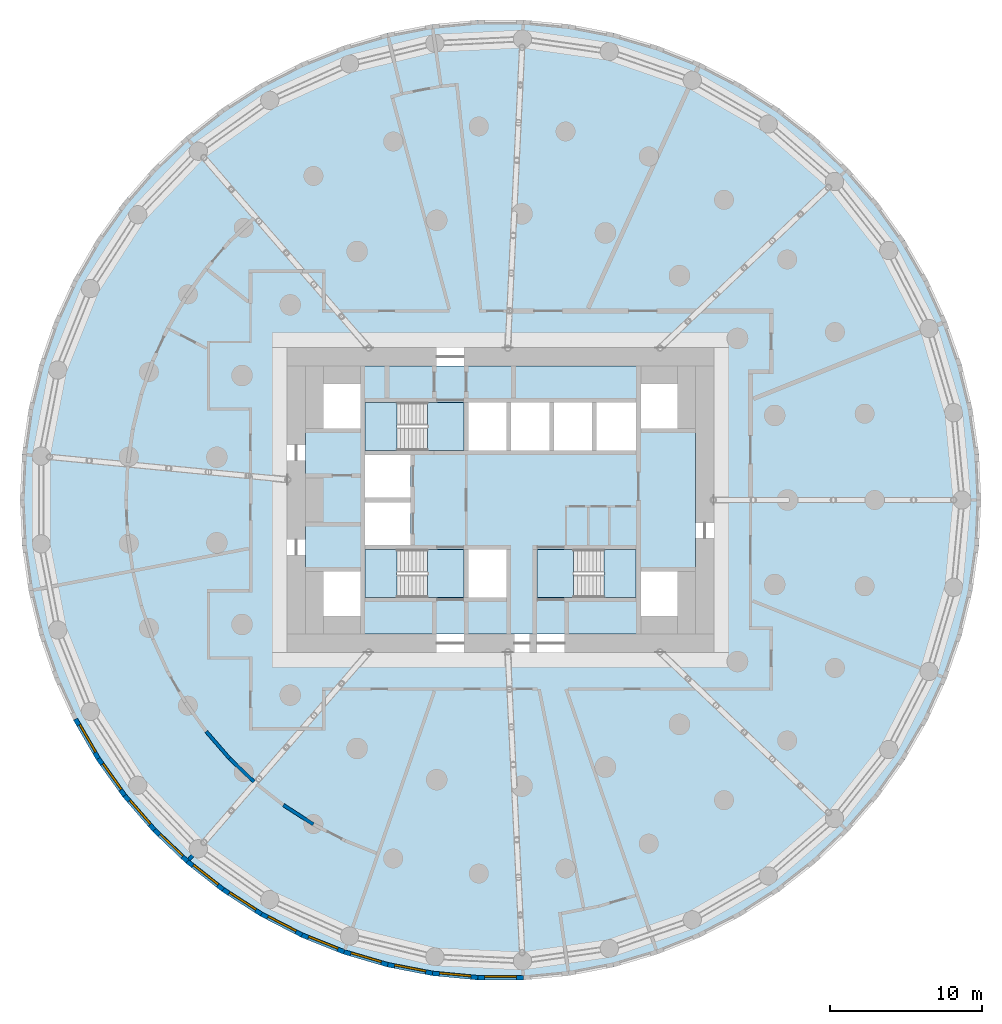
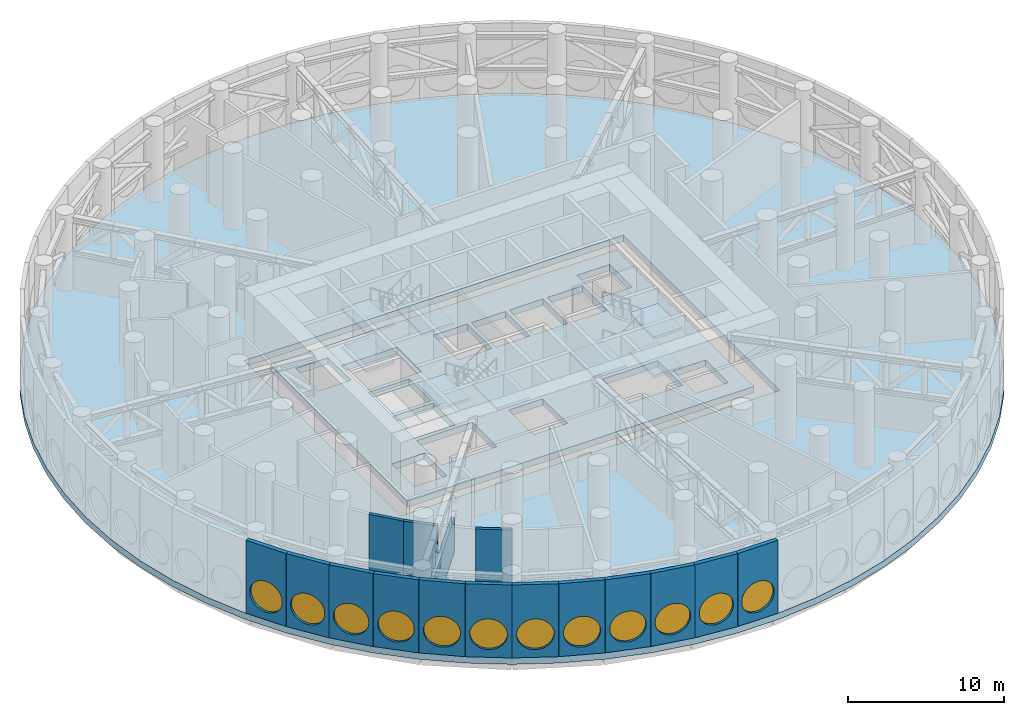
# One storey, part 8 of 17: 16 walls, 12 windows, 10 slabs, 12 openings, 3 elements without a shape of their own.
"""IFC4 building model written with IfcOpenShell, lengths in metres."""

from ifc_helpers import new_model, si_unit, direction, frame, frame_2d, origin, origin_2d, place, context, subcontext, project, spatial, polyline, rectangle, circle, outline, extrude, material, layer, layer_set, type_object, element, fill, aggregate, save


model = new_model("IFC4")

# Units and contexts
model_context = context("Model", 3, precision=1e-05, world=origin(), true_north=direction((0.0, 1.0)))
body_context = subcontext(model_context, "Body", "Model", "MODEL_VIEW")
ifc_project = project(units=[si_unit("LENGTHUNIT", "METRE"), si_unit("AREAUNIT", "SQUARE_METRE"), si_unit("VOLUMEUNIT", "CUBIC_METRE"), si_unit("PLANEANGLEUNIT", "RADIAN"), si_unit("MASSUNIT", "GRAM", prefix="KILO")], contexts=[model_context])

# Site, building, storey
site_placement = place(None, origin())
site = spatial("IfcSite", under=ifc_project, at=site_placement, CompositionType="ELEMENT")
building_placement = place(site_placement, origin())
building = spatial("IfcBuilding", under=site, at=building_placement, Name="Tracery Tower", CompositionType="ELEMENT")
storey_placement = place(building_placement, frame((0.0, 0.0, 120.0)))
storey = spatial("IfcBuildingStorey", under=building, at=storey_placement, Name="L30 Plant", CompositionType="ELEMENT", Elevation=120.0)

# Slabs
ifc_material_1 = material(Name="Concrete C60/75", Category="concrete")
ifc_layer_1 = layer(ifc_material_1, 0.5)
ifc_layer_set_1 = layer_set([ifc_layer_1], Name="Core floor slab 500 C60")
slab_type_1 = type_object("IfcSlabType", Name="Core floor slab 500 C60", PredefinedType="FLOOR", material=ifc_layer_set_1)
slab_1_placement = place(storey_placement, frame((0.0, 0.0, -0.5)))
element("IfcSlab", 1, at=slab_1_placement, inside=storey, type_object=slab_type_1, Name="L30 Plant core floor 1", PredefinedType="FLOOR", context=body_context, shape_type="SweptSolid", body=[
    extrude(outline(polyline([(-12.800048828125, 8.800048828125), (12.800048828125, 8.800048828125), (12.800048828125, -8.800048828125), (-12.800048828125, -8.800048828125), (-12.800048828125, 8.800048828125)]), holes=[polyline([(9.199951171875, 4.699951171875), (11.60009765625, 4.699951171875), (11.60009765625, 7.60009765625), (9.199951171875, 7.60009765625), (9.199951171875, 4.699951171875)]), polyline([(11.60009765625, -7.60009765625), (11.60009765625, -4.699951171875), (9.199951171875, -4.699951171875), (9.199951171875, -7.60009765625), (11.60009765625, -7.60009765625)]), polyline([(4.800537109375, -6.39990234375), (8.89990234375, -6.39990234375), (8.89990234375, -3.25), (4.800537109375, -3.25), (4.800537109375, -6.39990234375)]), polyline([(8.89990234375, 3.25), (8.89990234375, 6.39990234375), (6.300048828125, 6.39990234375), (6.300048828125, 3.25), (8.89990234375, 3.25)]), polyline([(6.0, 3.25), (6.0, 6.39990234375), (3.5, 6.39990234375), (3.5, 3.25), (6.0, 3.25)]), polyline([(3.199951171875, 3.25), (3.199951171875, 6.39990234375), (0.699951171875, 6.39990234375), (0.699951171875, 3.25), (3.199951171875, 3.25)]), polyline([(-2.10009765625, 3.25), (0.39990234375, 3.25), (0.39990234375, 6.39990234375), (-2.10009765625, 6.39990234375), (-2.10009765625, 3.25)]), polyline([(0.39990234375, -6.39990234375), (0.39990234375, -3.25), (-2.10009765625, -3.25), (-2.10009765625, -6.39990234375), (0.39990234375, -6.39990234375)]), polyline([(-4.800537109375, -3.25), (-8.89990234375, -3.25), (-8.89990234375, -6.39990234375), (-4.800537109375, -6.39990234375), (-4.800537109375, -3.25)]), polyline([(-4.800537109375, 6.39990234375), (-8.89990234375, 6.39990234375), (-8.89990234375, 3.25), (-4.800537109375, 3.25), (-4.800537109375, 6.39990234375)]), polyline([(-5.89990234375, -2.949951171875), (-5.89990234375, -0.14990234375), (-8.89990234375, -0.14990234375), (-8.89990234375, -2.949951171875), (-5.89990234375, -2.949951171875)]), polyline([(-5.89990234375, 0.14990234375), (-5.89990234375, 2.949951171875), (-8.89990234375, 2.949951171875), (-8.89990234375, 0.14990234375), (-5.89990234375, 0.14990234375)]), polyline([(-11.60009765625, 4.699951171875), (-9.199951171875, 4.699951171875), (-9.199951171875, 7.60009765625), (-11.60009765625, 7.60009765625), (-11.60009765625, 4.699951171875)]), polyline([(-9.199951171875, -7.60009765625), (-9.199951171875, -4.699951171875), (-11.60009765625, -4.699951171875), (-11.60009765625, -7.60009765625), (-9.199951171875, -7.60009765625)])]), origin(), (0.0, 0.0, 1.0), 0.5),
])
ifc_material_2 = material(Name="Concrete C50/60", Category="concrete")
ifc_layer_2 = layer(ifc_material_2, 0.5)
ifc_layer_set_2 = layer_set([ifc_layer_2], Name="Plant floor slab 500")
slab_type_2 = type_object("IfcSlabType", Name="Plant floor slab 500", PredefinedType="FLOOR", material=ifc_layer_set_2)
slab_2_placement = place(storey_placement, frame((0.0, 0.0, -0.5)))
element("IfcSlab", 2, at=slab_2_placement, inside=storey, type_object=slab_type_2, Name="Floor slab L30 Plant", PredefinedType="FLOOR", context=body_context, shape_type="SweptSolid", body=[
    extrude(outline(polyline([(31.524658203125, 0.0), (31.3818359375, 2.99658203125), (30.954833984375, 5.966064453125), (30.24755859375, 8.881591796875), (29.266357421875, 11.716552734375), (28.020263671875, 14.4453125), (26.520263671875, 17.04345703125), (24.780029296875, 19.4873046875), (22.8154296875, 21.75439453125), (20.644287109375, 23.82470703125), (18.2861328125, 25.67919921875), (15.76220703125, 27.301025390625), (13.095703125, 28.67578125), (10.310791015625, 29.790771484375), (7.43212890625, 30.635986328125), (4.486328125, 31.20361328125), (1.5, 31.489013671875), (-1.5, 31.489013671875), (-4.486328125, 31.20361328125), (-7.43212890625, 30.635986328125), (-10.310791015625, 29.790771484375), (-13.095703125, 28.67578125), (-15.76220703125, 27.301025390625), (-18.2861328125, 25.67919921875), (-20.644287109375, 23.82470703125), (-22.8154296875, 21.75439453125), (-24.780029296875, 19.4873046875), (-26.520263671875, 17.04345703125), (-28.020263671875, 14.4453125), (-29.266357421875, 11.716552734375), (-30.24755859375, 8.881591796875), (-30.954833984375, 5.966064453125), (-31.3818359375, 2.99658203125), (-31.524658203125, 0.0), (-31.3818359375, -2.99658203125), (-30.954833984375, -5.966064453125), (-30.24755859375, -8.881591796875), (-29.266357421875, -11.716552734375), (-28.020263671875, -14.4453125), (-26.520263671875, -17.04345703125), (-24.780029296875, -19.4873046875), (-22.8154296875, -21.75439453125), (-20.644287109375, -23.82470703125), (-18.2861328125, -25.67919921875), (-15.76220703125, -27.301025390625), (-13.095703125, -28.67578125), (-10.310791015625, -29.790771484375), (-7.43212890625, -30.635986328125), (-4.486328125, -31.20361328125), (-1.5, -31.489013671875), (1.5, -31.489013671875), (4.486328125, -31.20361328125), (7.43212890625, -30.635986328125), (10.310791015625, -29.790771484375), (13.095703125, -28.67578125), (15.76220703125, -27.301025390625), (18.2861328125, -25.67919921875), (20.644287109375, -23.82470703125), (22.8154296875, -21.75439453125), (24.780029296875, -19.4873046875), (26.520263671875, -17.04345703125), (28.020263671875, -14.4453125), (29.266357421875, -11.716552734375), (30.24755859375, -8.881591796875), (30.954833984375, -5.966064453125), (31.3818359375, -2.99658203125), (31.524658203125, 0.0)]), holes=[polyline([(-14.0, -10.0), (14.0, -10.0), (14.0, 10.0), (-14.0, 10.0), (-14.0, -10.0)])]), origin(), (0.0, 0.0, 1.0), 0.5),
])

# Stair, slabs
ifc_material_3 = material(Name="Concrete C32/40", Category="concrete")
stair_type = type_object("IfcStairType", Name="Core stair 36 risers", PredefinedType="HALF_TURN_STAIR", material=ifc_material_3)
stair_1_placement = place(storey_placement, origin())
stair_1 = element("IfcStair", 3, at=stair_1_placement, inside=storey, type_object=stair_type, Name="L30 Plant stair ST1", PredefinedType="HALF_TURN_STAIR")
ifc_material_4 = material(Name="Concrete C32/40", Category="concrete")
ifc_layer_3 = layer(ifc_material_4, 0.199951171875)
ifc_layer_set_3 = layer_set([ifc_layer_3], Name="Stair landing slab 200")
slab_type_3 = type_object("IfcSlabType", Name="Stair landing slab 200", PredefinedType="LANDING", material=ifc_layer_set_3)
slab_3_placement = place(storey_placement, frame((0.0, 0.0, 2.800048828125)))
slab_3 = element("IfcSlab", 4, at=slab_3_placement, type_object=slab_type_3, Name="ST1 landing 2", PredefinedType="LANDING", context=body_context, shape_type="SweptSolid", body=[
    extrude(outline(polyline([(-2.39990234375, -3.25), (-4.800537109375, -3.25), (-4.800537109375, -6.39990234375), (-2.39990234375, -6.39990234375), (-2.39990234375, -3.25)])), origin(), (0.0, 0.0, 1.0), 0.199951171875),
])
slab_4_placement = place(storey_placement, frame((0.0, 0.0, 4.300048828125)))
slab_4 = element("IfcSlab", 5, at=slab_4_placement, type_object=slab_type_3, Name="ST1 landing 3", PredefinedType="LANDING", context=body_context, shape_type="SweptSolid", body=[
    extrude(outline(polyline([(-6.79931640625, -3.25), (-8.89990234375, -3.25), (-8.89990234375, -6.39990234375), (-6.79931640625, -6.39990234375), (-6.79931640625, -3.25)])), origin(), (0.0, 0.0, 1.0), 0.199951171875),
])
aggregate(stair_1, [slab_3, slab_4])

stair_2_placement = place(storey_placement, origin())
stair_2 = element("IfcStair", 6, at=stair_2_placement, inside=storey, type_object=stair_type, Name="L30 Plant stair ST3", PredefinedType="HALF_TURN_STAIR")
slab_5_placement = place(storey_placement, frame((0.0, 0.0, 1.300048828125)))
slab_5 = element("IfcSlab", 7, at=slab_5_placement, type_object=slab_type_3, Name="ST3 landing 1", PredefinedType="LANDING", context=body_context, shape_type="SweptSolid", body=[
    extrude(outline(polyline([(-6.79931640625, 6.39990234375), (-8.89990234375, 6.39990234375), (-8.89990234375, 3.25), (-6.79931640625, 3.25), (-6.79931640625, 6.39990234375)])), origin(), (0.0, 0.0, 1.0), 0.199951171875),
])
slab_6_placement = place(storey_placement, frame((0.0, 0.0, 2.800048828125)))
slab_6 = element("IfcSlab", 8, at=slab_6_placement, type_object=slab_type_3, Name="ST3 landing 2", PredefinedType="LANDING", context=body_context, shape_type="SweptSolid", body=[
    extrude(outline(polyline([(-2.39990234375, 6.39990234375), (-4.800537109375, 6.39990234375), (-4.800537109375, 3.25), (-2.39990234375, 3.25), (-2.39990234375, 6.39990234375)])), origin(), (0.0, 0.0, 1.0), 0.199951171875),
])
slab_7_placement = place(storey_placement, frame((0.0, 0.0, 4.300048828125)))
slab_7 = element("IfcSlab", 9, at=slab_7_placement, type_object=slab_type_3, Name="ST3 landing 3", PredefinedType="LANDING", context=body_context, shape_type="SweptSolid", body=[
    extrude(outline(polyline([(-6.79931640625, 6.39990234375), (-8.89990234375, 6.39990234375), (-8.89990234375, 3.25), (-6.79931640625, 3.25), (-6.79931640625, 6.39990234375)])), origin(), (0.0, 0.0, 1.0), 0.199951171875),
])
aggregate(stair_2, [slab_5, slab_6, slab_7])

stair_3_placement = place(storey_placement, origin())
stair_3 = element("IfcStair", 10, at=stair_3_placement, inside=storey, type_object=stair_type, Name="L30 Plant stair ST2", PredefinedType="HALF_TURN_STAIR")
slab_8_placement = place(storey_placement, frame((0.0, 0.0, 1.300048828125)))
slab_8 = element("IfcSlab", 11, at=slab_8_placement, type_object=slab_type_3, Name="ST2 landing 1", PredefinedType="LANDING", context=body_context, shape_type="SweptSolid", body=[
    extrude(outline(polyline([(6.79931640625, -6.39990234375), (8.89990234375, -6.39990234375), (8.89990234375, -3.25), (6.79931640625, -3.25), (6.79931640625, -6.39990234375)])), origin(), (0.0, 0.0, 1.0), 0.199951171875),
])
slab_9_placement = place(storey_placement, frame((0.0, 0.0, 2.800048828125)))
slab_9 = element("IfcSlab", 12, at=slab_9_placement, type_object=slab_type_3, Name="ST2 landing 2", PredefinedType="LANDING", context=body_context, shape_type="SweptSolid", body=[
    extrude(outline(polyline([(2.39990234375, -6.39990234375), (4.800537109375, -6.39990234375), (4.800537109375, -3.25), (2.39990234375, -3.25), (2.39990234375, -6.39990234375)])), origin(), (0.0, 0.0, 1.0), 0.199951171875),
])
slab_10_placement = place(storey_placement, frame((0.0, 0.0, 4.300048828125)))
slab_10 = element("IfcSlab", 13, at=slab_10_placement, type_object=slab_type_3, Name="ST2 landing 3", PredefinedType="LANDING", context=body_context, shape_type="SweptSolid", body=[
    extrude(outline(polyline([(6.79931640625, -6.39990234375), (8.89990234375, -6.39990234375), (8.89990234375, -3.25), (6.79931640625, -3.25), (6.79931640625, -6.39990234375)])), origin(), (0.0, 0.0, 1.0), 0.199951171875),
])
aggregate(stair_3, [slab_8, slab_9, slab_10])

# Wall, opening, window
ifc_material_5 = material(Name="Precast concrete C50/60", Category="concrete")
ifc_layer_4 = layer(ifc_material_5, 0.300048828125)
ifc_layer_set_4 = layer_set([ifc_layer_4], Name="Plant louvre panel 3000 x 5700")
wall_type_1 = type_object("IfcWallType", Name="Plant louvre panel 3000 x 5700", PredefinedType="SOLIDWALL", material=ifc_layer_set_4)
wall_1_placement = place(storey_placement, frame((-27.88671875, -14.376708984375, 0.0), z_axis=(0.0, 0.0, 1.0), x_axis=(0.500017373705, -0.866015372839, 0.0)))
wall_1 = element("IfcWall", 14, at=wall_1_placement, inside=storey, type_object=wall_type_1, Name="Plant louvre panel 39 at L30 Plant", PredefinedType="SOLIDWALL", context=body_context, shape_type="SweptSolid", body=[
    extrude(rectangle(XDim=2.98583984375, YDim=0.300048828125, at=frame_2d((1.492919921875, 0.0))), origin(), (0.0, 0.0, 1.0), 5.699951171875),
])
opening_1_placement = place(wall_1_placement, frame((1.492919921875, 0.0, 1.800048828125)))
opening_1 = element("IfcOpeningElement", 15, at=opening_1_placement, cuts=wall_1, Name="Opening LV1", PredefinedType="OPENING", context=body_context, shape_type="SweptSolid", body=[
    extrude(circle(Radius=1.199951171875, at=origin_2d()), frame((0.0, 0.159912109375, 0.0), z_axis=(0.0, -1.0, 0.0), x_axis=(1.0, 0.0, 0.0)), (0.0, 0.0, 1.0), 0.320068359375),
])
ifc_material_6 = material(Name="Aluminium louvre, bronze anodised", Category="aluminium")
window_type = type_object("IfcWindowType", Name="Louvred oculus 2400, sill 600", PartitioningType="SINGLE_PANEL", PredefinedType="WINDOW", material=ifc_material_6)
window_1_placement = place(opening_1_placement, origin())
window_1 = element("IfcWindow", 16, at=window_1_placement, inside=storey, type_object=window_type, Name="Louvred oculus 39 at L30 Plant", OverallHeight=2.39990234375, OverallWidth=2.39990234375, PartitioningType="SINGLE_PANEL", PredefinedType="WINDOW", context=body_context, shape_type="SweptSolid", body=[
    extrude(circle(Radius=1.199951171875, at=origin_2d()), frame((0.0, 0.1201171875, 0.0), z_axis=(0.0, -1.0, 0.0), x_axis=(1.0, 0.0, 0.0)), (0.0, 0.0, 1.0), 0.10009765625),
])
fill(opening_1, window_1)

wall_2_placement = place(storey_placement, frame((-26.393798828125, -16.96240234375, 0.0), z_axis=(0.0, 0.0, 1.0), x_axis=(0.580100533892, -0.814544885551, 0.0)))
wall_2 = element("IfcWall", 17, at=wall_2_placement, inside=storey, type_object=wall_type_1, Name="Plant louvre panel 40 at L30 Plant", PredefinedType="SOLIDWALL", context=body_context, shape_type="SweptSolid", body=[
    extrude(rectangle(XDim=2.985595703125, YDim=0.300048828125, at=frame_2d((1.49267578125, 0.0))), origin(), (0.0, 0.0, 1.0), 5.699951171875),
])
opening_2_placement = place(wall_2_placement, frame((1.492919921875, 0.0, 1.800048828125)))
opening_2 = element("IfcOpeningElement", 18, at=opening_2_placement, cuts=wall_2, Name="Opening LV1", PredefinedType="OPENING", context=body_context, shape_type="SweptSolid", body=[
    extrude(circle(Radius=1.199951171875, at=origin_2d()), frame((0.0, 0.159912109375, 0.0), z_axis=(0.0, -1.0, 0.0), x_axis=(1.0, 0.0, 0.0)), (0.0, 0.0, 1.0), 0.320068359375),
])
window_2_placement = place(opening_2_placement, origin())
window_2 = element("IfcWindow", 19, at=window_2_placement, inside=storey, type_object=window_type, Name="Louvred oculus 40 at L30 Plant", OverallHeight=2.39990234375, OverallWidth=2.39990234375, PartitioningType="SINGLE_PANEL", PredefinedType="WINDOW", context=body_context, shape_type="SweptSolid", body=[
    extrude(circle(Radius=1.199951171875, at=origin_2d()), frame((0.0, 0.1201171875, 0.0), z_axis=(0.0, -1.0, 0.0), x_axis=(1.0, 0.0, 0.0)), (0.0, 0.0, 1.0), 0.10009765625),
])
fill(opening_2, window_2)

wall_3_placement = place(storey_placement, frame((-24.661865234375, -19.394287109375, 0.0), z_axis=(0.0, 0.0, 1.0), x_axis=(0.654809121128, -0.755794294029, 0.0)))
wall_3 = element("IfcWall", 20, at=wall_3_placement, inside=storey, type_object=wall_type_1, Name="Plant louvre panel 41 at L30 Plant", PredefinedType="SOLIDWALL", context=body_context, shape_type="SweptSolid", body=[
    extrude(rectangle(XDim=2.98583984375, YDim=0.300048828125, at=frame_2d((1.492919921875, 0.0))), origin(), (0.0, 0.0, 1.0), 5.699951171875),
])
opening_3_placement = place(wall_3_placement, frame((1.492919921875, 0.0, 1.800048828125)))
opening_3 = element("IfcOpeningElement", 21, at=opening_3_placement, cuts=wall_3, Name="Opening LV1", PredefinedType="OPENING", context=body_context, shape_type="SweptSolid", body=[
    extrude(circle(Radius=1.199951171875, at=origin_2d()), frame((0.0, 0.159912109375, 0.0), z_axis=(0.0, -1.0, 0.0), x_axis=(1.0, 0.0, 0.0)), (0.0, 0.0, 1.0), 0.320068359375),
])
window_3_placement = place(opening_3_placement, origin())
window_3 = element("IfcWindow", 22, at=window_3_placement, inside=storey, type_object=window_type, Name="Louvred oculus 41 at L30 Plant", OverallHeight=2.39990234375, OverallWidth=2.39990234375, PartitioningType="SINGLE_PANEL", PredefinedType="WINDOW", context=body_context, shape_type="SweptSolid", body=[
    extrude(circle(Radius=1.199951171875, at=origin_2d()), frame((0.0, 0.1201171875, 0.0), z_axis=(0.0, -1.0, 0.0), x_axis=(1.0, 0.0, 0.0)), (0.0, 0.0, 1.0), 0.10009765625),
])
fill(opening_3, window_3)

wall_4_placement = place(storey_placement, frame((-22.706787109375, -21.65087890625, 0.0), z_axis=(0.0, 0.0, 1.0), x_axis=(0.723750841228, -0.690061388444, 0.0)))
wall_4 = element("IfcWall", 23, at=wall_4_placement, inside=storey, type_object=wall_type_1, Name="Plant louvre panel 42 at L30 Plant", PredefinedType="SOLIDWALL", context=body_context, shape_type="SweptSolid", body=[
    extrude(rectangle(XDim=2.985595703125, YDim=0.300048828125, at=frame_2d((1.49267578125, 0.0))), origin(), (0.0, 0.0, 1.0), 5.699951171875),
])
opening_4_placement = place(wall_4_placement, frame((1.492919921875, 0.0, 1.800048828125)))
opening_4 = element("IfcOpeningElement", 24, at=opening_4_placement, cuts=wall_4, Name="Opening LV1", PredefinedType="OPENING", context=body_context, shape_type="SweptSolid", body=[
    extrude(circle(Radius=1.199951171875, at=origin_2d()), frame((0.0, 0.159912109375, 0.0), z_axis=(0.0, -1.0, 0.0), x_axis=(1.0, 0.0, 0.0)), (0.0, 0.0, 1.0), 0.320068359375),
])
window_4_placement = place(opening_4_placement, origin())
window_4 = element("IfcWindow", 25, at=window_4_placement, inside=storey, type_object=window_type, Name="Louvred oculus 42 at L30 Plant", OverallHeight=2.39990234375, OverallWidth=2.39990234375, PartitioningType="SINGLE_PANEL", PredefinedType="WINDOW", context=body_context, shape_type="SweptSolid", body=[
    extrude(circle(Radius=1.199951171875, at=origin_2d()), frame((0.0, 0.1201171875, 0.0), z_axis=(0.0, -1.0, 0.0), x_axis=(1.0, 0.0, 0.0)), (0.0, 0.0, 1.0), 0.10009765625),
])
fill(opening_4, window_4)

wall_5_placement = place(storey_placement, frame((-20.5458984375, -23.711181640625, 0.0), z_axis=(0.0, 0.0, 1.0), x_axis=(0.786043032847, -0.618171780747, 0.0)))
wall_5 = element("IfcWall", 26, at=wall_5_placement, inside=storey, type_object=wall_type_1, Name="Plant louvre panel 43 at L30 Plant", PredefinedType="SOLIDWALL", context=body_context, shape_type="SweptSolid", body=[
    extrude(rectangle(XDim=2.98583984375, YDim=0.300048828125, at=frame_2d((1.492919921875, 0.0))), origin(), (0.0, 0.0, 1.0), 5.699951171875),
])
opening_5_placement = place(wall_5_placement, frame((1.492919921875, 0.0, 1.800048828125)))
opening_5 = element("IfcOpeningElement", 27, at=opening_5_placement, cuts=wall_5, Name="Opening LV1", PredefinedType="OPENING", context=body_context, shape_type="SweptSolid", body=[
    extrude(circle(Radius=1.199951171875, at=origin_2d()), frame((0.0, 0.159912109375, 0.0), z_axis=(0.0, -1.0, 0.0), x_axis=(1.0, 0.0, 0.0)), (0.0, 0.0, 1.0), 0.320068359375),
])
window_5_placement = place(opening_5_placement, origin())
window_5 = element("IfcWindow", 28, at=window_5_placement, inside=storey, type_object=window_type, Name="Louvred oculus 43 at L30 Plant", OverallHeight=2.39990234375, OverallWidth=2.39990234375, PartitioningType="SINGLE_PANEL", PredefinedType="WINDOW", context=body_context, shape_type="SweptSolid", body=[
    extrude(circle(Radius=1.199951171875, at=origin_2d()), frame((0.0, 0.1201171875, 0.0), z_axis=(0.0, -1.0, 0.0), x_axis=(1.0, 0.0, 0.0)), (0.0, 0.0, 1.0), 0.10009765625),
])
fill(opening_5, window_5)

wall_6_placement = place(storey_placement, frame((-18.198974609375, -25.556884765625, 0.0), z_axis=(0.0, 0.0, 1.0), x_axis=(0.841242231846, -0.540658401727, 0.0)))
wall_6 = element("IfcWall", 29, at=wall_6_placement, inside=storey, type_object=wall_type_1, Name="Plant louvre panel 44 at L30 Plant", PredefinedType="SOLIDWALL", context=body_context, shape_type="SweptSolid", body=[
    extrude(rectangle(XDim=2.98583984375, YDim=0.300048828125, at=frame_2d((1.492919921875, 0.0))), origin(), (0.0, 0.0, 1.0), 5.699951171875),
])
opening_6_placement = place(wall_6_placement, frame((1.492919921875, 0.0, 1.800048828125)))
opening_6 = element("IfcOpeningElement", 30, at=opening_6_placement, cuts=wall_6, Name="Opening LV1", PredefinedType="OPENING", context=body_context, shape_type="SweptSolid", body=[
    extrude(circle(Radius=1.199951171875, at=origin_2d()), frame((0.0, 0.159912109375, 0.0), z_axis=(0.0, -1.0, 0.0), x_axis=(1.0, 0.0, 0.0)), (0.0, 0.0, 1.0), 0.320068359375),
])
window_6_placement = place(opening_6_placement, origin())
window_6 = element("IfcWindow", 31, at=window_6_placement, inside=storey, type_object=window_type, Name="Louvred oculus 44 at L30 Plant", OverallHeight=2.39990234375, OverallWidth=2.39990234375, PartitioningType="SINGLE_PANEL", PredefinedType="WINDOW", context=body_context, shape_type="SweptSolid", body=[
    extrude(circle(Radius=1.199951171875, at=origin_2d()), frame((0.0, 0.1201171875, 0.0), z_axis=(0.0, -1.0, 0.0), x_axis=(1.0, 0.0, 0.0)), (0.0, 0.0, 1.0), 0.10009765625),
])
fill(opening_6, window_6)

wall_7_placement = place(storey_placement, frame((-15.687255859375, -27.171142578125, 0.0), z_axis=(0.0, 0.0, 1.0), x_axis=(0.888831268481, -0.458234630043, 0.0)))
wall_7 = element("IfcWall", 32, at=wall_7_placement, inside=storey, type_object=wall_type_1, Name="Plant louvre panel 45 at L30 Plant", PredefinedType="SOLIDWALL", context=body_context, shape_type="SweptSolid", body=[
    extrude(rectangle(XDim=2.98583984375, YDim=0.300048828125, at=frame_2d((1.492919921875, 0.0))), origin(), (0.0, 0.0, 1.0), 5.699951171875),
])
opening_7_placement = place(wall_7_placement, frame((1.492919921875, 0.0, 1.800048828125)))
opening_7 = element("IfcOpeningElement", 33, at=opening_7_placement, cuts=wall_7, Name="Opening LV1", PredefinedType="OPENING", context=body_context, shape_type="SweptSolid", body=[
    extrude(circle(Radius=1.199951171875, at=origin_2d()), frame((0.0, 0.159912109375, 0.0), z_axis=(0.0, -1.0, 0.0), x_axis=(1.0, 0.0, 0.0)), (0.0, 0.0, 1.0), 0.320068359375),
])
window_7_placement = place(opening_7_placement, origin())
window_7 = element("IfcWindow", 34, at=window_7_placement, inside=storey, type_object=window_type, Name="Louvred oculus 45 at L30 Plant", OverallHeight=2.39990234375, OverallWidth=2.39990234375, PartitioningType="SINGLE_PANEL", PredefinedType="WINDOW", context=body_context, shape_type="SweptSolid", body=[
    extrude(circle(Radius=1.199951171875, at=origin_2d()), frame((0.0, 0.1201171875, 0.0), z_axis=(0.0, -1.0, 0.0), x_axis=(1.0, 0.0, 0.0)), (0.0, 0.0, 1.0), 0.10009765625),
])
fill(opening_7, window_7)

wall_8_placement = place(storey_placement, frame((-13.033447265625, -28.539306640625, 0.0), z_axis=(0.0, 0.0, 1.0), x_axis=(0.928380795373, -0.371630325434, 0.0)))
wall_8 = element("IfcWall", 35, at=wall_8_placement, inside=storey, type_object=wall_type_1, Name="Plant louvre panel 46 at L30 Plant", PredefinedType="SOLIDWALL", context=body_context, shape_type="SweptSolid", body=[
    extrude(rectangle(XDim=2.98583984375, YDim=0.300048828125, at=frame_2d((1.492919921875, 0.0))), origin(), (0.0, 0.0, 1.0), 5.699951171875),
])
opening_8_placement = place(wall_8_placement, frame((1.492919921875, 0.0, 1.800048828125)))
opening_8 = element("IfcOpeningElement", 36, at=opening_8_placement, cuts=wall_8, Name="Opening LV1", PredefinedType="OPENING", context=body_context, shape_type="SweptSolid", body=[
    extrude(circle(Radius=1.199951171875, at=origin_2d()), frame((0.0, 0.159912109375, 0.0), z_axis=(0.0, -1.0, 0.0), x_axis=(1.0, 0.0, 0.0)), (0.0, 0.0, 1.0), 0.320068359375),
])
window_8_placement = place(opening_8_placement, origin())
window_8 = element("IfcWindow", 37, at=window_8_placement, inside=storey, type_object=window_type, Name="Louvred oculus 46 at L30 Plant", OverallHeight=2.39990234375, OverallWidth=2.39990234375, PartitioningType="SINGLE_PANEL", PredefinedType="WINDOW", context=body_context, shape_type="SweptSolid", body=[
    extrude(circle(Radius=1.199951171875, at=origin_2d()), frame((0.0, 0.1201171875, 0.0), z_axis=(0.0, -1.0, 0.0), x_axis=(1.0, 0.0, 0.0)), (0.0, 0.0, 1.0), 0.10009765625),
])
fill(opening_8, window_8)

wall_9_placement = place(storey_placement, frame((-10.261474609375, -29.64892578125, 0.0), z_axis=(0.0, 0.0, 1.0), x_axis=(0.959502108153, -0.281701445593, 0.0)))
wall_9 = element("IfcWall", 38, at=wall_9_placement, inside=storey, type_object=wall_type_1, Name="Plant louvre panel 47 at L30 Plant", PredefinedType="SOLIDWALL", context=body_context, shape_type="SweptSolid", body=[
    extrude(rectangle(XDim=2.985595703125, YDim=0.300048828125, at=frame_2d((1.49267578125, 0.0))), origin(), (0.0, 0.0, 1.0), 5.699951171875),
])
opening_9_placement = place(wall_9_placement, frame((1.492919921875, 0.0, 1.800048828125)))
opening_9 = element("IfcOpeningElement", 39, at=opening_9_placement, cuts=wall_9, Name="Opening LV1", PredefinedType="OPENING", context=body_context, shape_type="SweptSolid", body=[
    extrude(circle(Radius=1.199951171875, at=origin_2d()), frame((0.0, 0.159912109375, 0.0), z_axis=(0.0, -1.0, 0.0), x_axis=(1.0, 0.0, 0.0)), (0.0, 0.0, 1.0), 0.320068359375),
])
window_9_placement = place(opening_9_placement, origin())
window_9 = element("IfcWindow", 40, at=window_9_placement, inside=storey, type_object=window_type, Name="Louvred oculus 47 at L30 Plant", OverallHeight=2.39990234375, OverallWidth=2.39990234375, PartitioningType="SINGLE_PANEL", PredefinedType="WINDOW", context=body_context, shape_type="SweptSolid", body=[
    extrude(circle(Radius=1.199951171875, at=origin_2d()), frame((0.0, 0.1201171875, 0.0), z_axis=(0.0, -1.0, 0.0), x_axis=(1.0, 0.0, 0.0)), (0.0, 0.0, 1.0), 0.10009765625),
])
fill(opening_9, window_9)

wall_10_placement = place(storey_placement, frame((-7.396728515625, -30.489990234375, 0.0), z_axis=(0.0, 0.0, 1.0), x_axis=(0.981918853666, -0.189302310646, 0.0)))
wall_10 = element("IfcWall", 41, at=wall_10_placement, inside=storey, type_object=wall_type_1, Name="Plant louvre panel 48 at L30 Plant", PredefinedType="SOLIDWALL", context=body_context, shape_type="SweptSolid", body=[
    extrude(rectangle(XDim=2.985595703125, YDim=0.300048828125, at=frame_2d((1.49267578125, 0.0))), origin(), (0.0, 0.0, 1.0), 5.699951171875),
])
opening_10_placement = place(wall_10_placement, frame((1.492919921875, 0.0, 1.800048828125)))
opening_10 = element("IfcOpeningElement", 42, at=opening_10_placement, cuts=wall_10, Name="Opening LV1", PredefinedType="OPENING", context=body_context, shape_type="SweptSolid", body=[
    extrude(circle(Radius=1.199951171875, at=origin_2d()), frame((0.0, 0.159912109375, 0.0), z_axis=(0.0, -1.0, 0.0), x_axis=(1.0, 0.0, 0.0)), (0.0, 0.0, 1.0), 0.320068359375),
])
window_10_placement = place(opening_10_placement, origin())
window_10 = element("IfcWindow", 43, at=window_10_placement, inside=storey, type_object=window_type, Name="Louvred oculus 48 at L30 Plant", OverallHeight=2.39990234375, OverallWidth=2.39990234375, PartitioningType="SINGLE_PANEL", PredefinedType="WINDOW", context=body_context, shape_type="SweptSolid", body=[
    extrude(circle(Radius=1.199951171875, at=origin_2d()), frame((0.0, 0.1201171875, 0.0), z_axis=(0.0, -1.0, 0.0), x_axis=(1.0, 0.0, 0.0)), (0.0, 0.0, 1.0), 0.10009765625),
])
fill(opening_10, window_10)

wall_11_placement = place(storey_placement, frame((-4.465087890625, -31.05517578125, 0.0), z_axis=(0.0, 0.0, 1.0), x_axis=(0.99547560533, -0.095017467833, 0.0)))
wall_11 = element("IfcWall", 44, at=wall_11_placement, inside=storey, type_object=wall_type_1, Name="Plant louvre panel 49 at L30 Plant", PredefinedType="SOLIDWALL", context=body_context, shape_type="SweptSolid", body=[
    extrude(rectangle(XDim=2.985595703125, YDim=0.300048828125, at=frame_2d((1.49267578125, 0.0))), origin(), (0.0, 0.0, 1.0), 5.699951171875),
])
opening_11_placement = place(wall_11_placement, frame((1.492919921875, 0.0, 1.800048828125)))
opening_11 = element("IfcOpeningElement", 45, at=opening_11_placement, cuts=wall_11, Name="Opening LV1", PredefinedType="OPENING", context=body_context, shape_type="SweptSolid", body=[
    extrude(circle(Radius=1.199951171875, at=origin_2d()), frame((0.0, 0.159912109375, 0.0), z_axis=(0.0, -1.0, 0.0), x_axis=(1.0, 0.0, 0.0)), (0.0, 0.0, 1.0), 0.320068359375),
])
window_11_placement = place(opening_11_placement, origin())
window_11 = element("IfcWindow", 46, at=window_11_placement, inside=storey, type_object=window_type, Name="Louvred oculus 49 at L30 Plant", OverallHeight=2.39990234375, OverallWidth=2.39990234375, PartitioningType="SINGLE_PANEL", PredefinedType="WINDOW", context=body_context, shape_type="SweptSolid", body=[
    extrude(circle(Radius=1.199951171875, at=origin_2d()), frame((0.0, 0.1201171875, 0.0), z_axis=(0.0, -1.0, 0.0), x_axis=(1.0, 0.0, 0.0)), (0.0, 0.0, 1.0), 0.10009765625),
])
fill(opening_11, window_11)

wall_12_placement = place(storey_placement, frame((-1.492919921875, -31.3388671875, 0.0), z_axis=(0.0, 0.0, 1.0), x_axis=(1.0, 0.0, 0.0)))
wall_12 = element("IfcWall", 47, at=wall_12_placement, inside=storey, type_object=wall_type_1, Name="Plant louvre panel 50 at L30 Plant", PredefinedType="SOLIDWALL", context=body_context, shape_type="SweptSolid", body=[
    extrude(rectangle(XDim=2.98583984375, YDim=0.300048828125, at=frame_2d((1.492919921875, 0.0))), origin(), (0.0, 0.0, 1.0), 5.699951171875),
])
opening_12_placement = place(wall_12_placement, frame((1.492919921875, 0.0, 1.800048828125)))
opening_12 = element("IfcOpeningElement", 48, at=opening_12_placement, cuts=wall_12, Name="Opening LV1", PredefinedType="OPENING", context=body_context, shape_type="SweptSolid", body=[
    extrude(circle(Radius=1.199951171875, at=origin_2d()), frame((0.0, 0.159912109375, 0.0), z_axis=(0.0, -1.0, 0.0), x_axis=(1.0, 0.0, 0.0)), (0.0, 0.0, 1.0), 0.320068359375),
])
window_12_placement = place(opening_12_placement, origin())
window_12 = element("IfcWindow", 49, at=window_12_placement, inside=storey, type_object=window_type, Name="Louvred oculus 50 at L30 Plant", OverallHeight=2.39990234375, OverallWidth=2.39990234375, PartitioningType="SINGLE_PANEL", PredefinedType="WINDOW", context=body_context, shape_type="SweptSolid", body=[
    extrude(circle(Radius=1.199951171875, at=origin_2d()), frame((0.0, 0.1201171875, 0.0), z_axis=(0.0, -1.0, 0.0), x_axis=(1.0, 0.0, 0.0)), (0.0, 0.0, 1.0), 0.10009765625),
])
fill(opening_12, window_12)

# Walls
ifc_material_7 = material(Name="Concrete blockwork", Category="masonry")
ifc_layer_5 = layer(ifc_material_7, 0.22509765625)
ifc_layer_set_5 = layer_set([ifc_layer_5], Name="Plant room block wall 225")
wall_type_2 = type_object("IfcWallType", Name="Plant room block wall 225", PredefinedType="PARTITIONING", material=ifc_layer_set_5)
wall_13_placement = place(storey_placement, frame((-19.310791015625, -15.18603515625, 0.0), z_axis=(0.0, 0.0, 1.0), x_axis=(0.654866925236, -0.755744209526, 0.0)))
element("IfcWall", 50, at=wall_13_placement, inside=storey, type_object=wall_type_2, Name="Plant room block wall 225", PredefinedType="PARTITIONING", context=body_context, shape_type="SweptSolid", body=[
    extrude(rectangle(XDim=2.337890625, YDim=0.22509765625, at=frame_2d((1.1689453125, 0.0))), origin(), (0.0, 0.0, 1.0), 5.199951171875),
])
wall_14_placement = place(storey_placement, frame((-17.77978515625, -16.952880859375, 0.0), z_axis=(0.0, 0.0, 1.0), x_axis=(0.723659715245, -0.690156950651, 0.0)))
element("IfcWall", 51, at=wall_14_placement, inside=storey, type_object=wall_type_2, Name="Plant room block wall 225", PredefinedType="PARTITIONING", context=body_context, shape_type="SweptSolid", body=[
    extrude(rectangle(XDim=2.22265625, YDim=0.22509765625, at=frame_2d((1.111328125, 0.0))), origin(), (0.0, 0.0, 1.0), 5.199951171875),
])
wall_15_placement = place(storey_placement, frame((-14.25, -20.011474609375, 0.0), z_axis=(0.0, 0.0, 1.0), x_axis=(0.841236155743, -0.540667855777, 0.0)))
element("IfcWall", 52, at=wall_15_placement, inside=storey, type_object=wall_type_2, Name="Plant room block wall 225", PredefinedType="PARTITIONING", context=body_context, shape_type="SweptSolid", body=[
    extrude(rectangle(XDim=2.337646484375, YDim=0.22509765625, at=frame_2d((1.1689453125, 0.0))), origin(), (0.0, 0.0, 1.0), 5.199951171875),
])
ifc_material_8 = material(Name="Concrete blockwork", Category="masonry")
ifc_layer_6 = layer(ifc_material_8, 0.22509765625)
ifc_layer_set_6 = layer_set([ifc_layer_6], Name="Plant wall under outrigger truss 225")
wall_type_3 = type_object("IfcWallType", Name="Plant wall under outrigger truss 225", PredefinedType="PARTITIONING", material=ifc_layer_set_6)
wall_16_placement = place(storey_placement, frame((-20.447509765625, -23.59765625, 0.0), z_axis=(0.0, 0.0, 1.0), x_axis=(0.654864001214, 0.755746743237, 0.0)))
element("IfcWall", 53, at=wall_16_placement, inside=storey, type_object=wall_type_3, Name="Plant wall under outrigger truss 225", PredefinedType="PARTITIONING", context=body_context, shape_type="SweptSolid", body=[
    extrude(rectangle(XDim=11.17578125, YDim=0.22509765625, at=frame_2d((5.587890625, 0.0))), origin(), (0.0, 0.0, 1.0), 2.699951171875),
])

save(model, "model.ifc")
